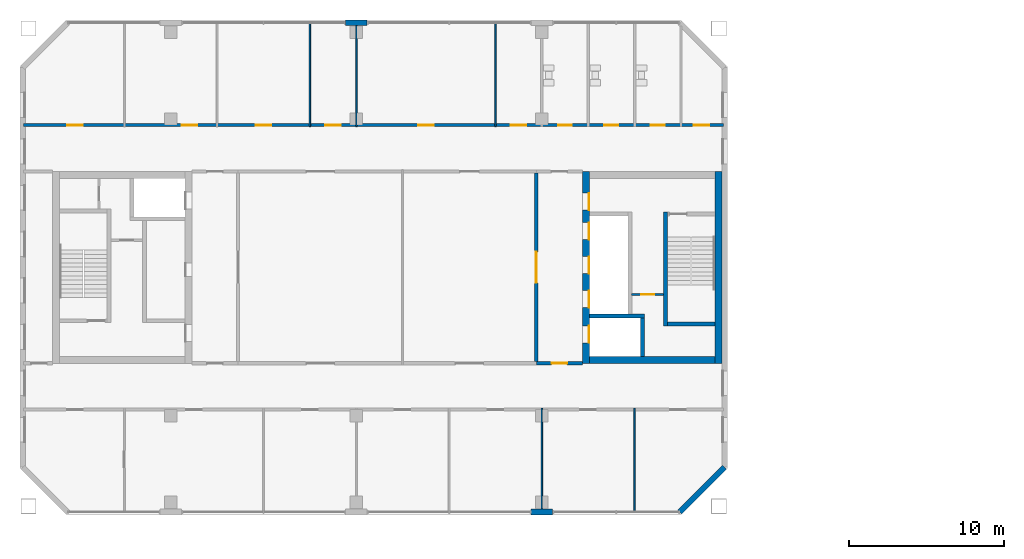
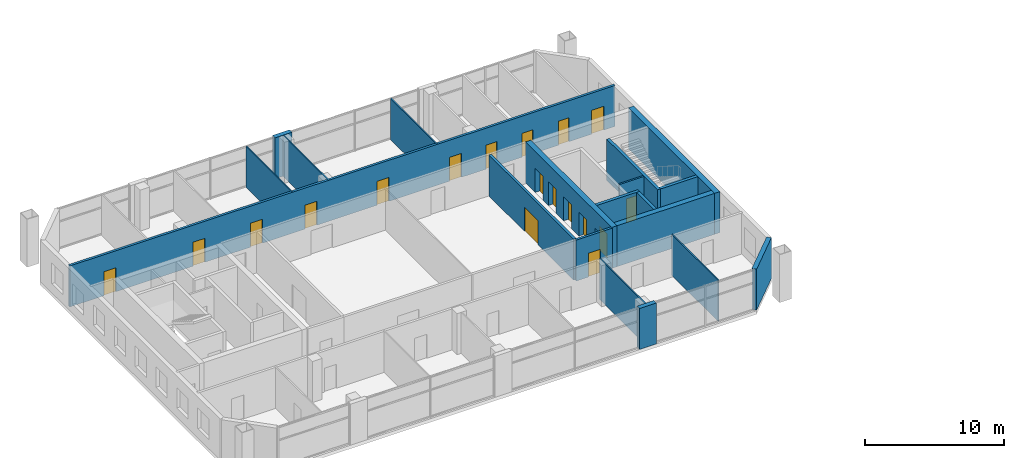
# One storey, part 12 of 19: 19 walls, 18 doors, 18 openings.
"""IFC4 building model written with IfcOpenShell, lengths in metres."""

from ifc_helpers import new_model, si_unit, direction, frame, frame_2d, origin, place, context, subcontext, project, spatial, rectangle, extrude, material, layer, layer_set, type_object, element, fill, save


model = new_model("IFC4")

# Units and contexts
model_context = context("Model", 3, precision=1e-05, world=origin(), true_north=direction((0.0, 1.0)))
body_context = subcontext(model_context, "Body", "Model", "MODEL_VIEW")
ifc_project = project(units=[si_unit("LENGTHUNIT", "METRE"), si_unit("AREAUNIT", "SQUARE_METRE"), si_unit("VOLUMEUNIT", "CUBIC_METRE"), si_unit("PLANEANGLEUNIT", "RADIAN"), si_unit("MASSUNIT", "GRAM", prefix="KILO")], contexts=[model_context])

# Site, building, storey
site_placement = place(None, origin())
site = spatial("IfcSite", under=ifc_project, at=site_placement, CompositionType="ELEMENT")
building_placement = place(site_placement, origin())
building = spatial("IfcBuilding", under=site, at=building_placement, Name="Tuart Gate Housing", CompositionType="ELEMENT")
storey_placement = place(building_placement, frame((0.0, 0.0, 171.60009765625)))
storey = spatial("IfcBuildingStorey", under=building, at=storey_placement, Name="L48", CompositionType="ELEMENT", Elevation=171.60009765625)

# Walls
ifc_material_1 = material(Name="Brick", Category="masonry")
ifc_layer_1 = layer(ifc_material_1, 0.360107421875)
ifc_layer_set_1 = layer_set([ifc_layer_1], Name="Brick pier and spandrel wall 360")
wall_type_1 = type_object("IfcWallType", Name="Brick pier and spandrel wall 360", PredefinedType="STANDARD", material=ifc_layer_set_1)
wall_1_placement = place(storey_placement, frame((63.300048828125, 54.179931640625, 0.0), z_axis=(0.0, 0.0, 1.0), x_axis=(1.0, 0.0, 0.0)))
element("IfcWall", 1, at=wall_1_placement, inside=storey, type_object=wall_type_1, Name="External wall A-S L48", PredefinedType="STANDARD", context=body_context, shape_type="SweptSolid", body=[
    extrude(rectangle(XDim=1.39990234375, YDim=0.360107421875, at=frame_2d((0.699951171875, 0.0))), origin(), (0.0, 0.0, 1.0), 3.599853515625),
])
wall_2_placement = place(storey_placement, frame((72.92529296875, 54.179931640625, 0.0), z_axis=(0.0, 0.0, 1.0), x_axis=(0.707106781187, 0.707106781187, 0.0)))
element("IfcWall", 2, at=wall_2_placement, inside=storey, type_object=wall_type_1, Name="External wall A-SE L48", PredefinedType="STANDARD", context=body_context, shape_type="SweptSolid", body=[
    extrude(rectangle(XDim=4.09375, YDim=0.360107421875, at=frame_2d((2.046875, 0.0))), origin(), (0.0, 0.0, 1.0), 3.599853515625),
])
wall_3_placement = place(storey_placement, frame((52.699951171875, 85.820068359375, 0.0), z_axis=(0.0, 0.0, 1.0), x_axis=(-1.0, 0.0, 0.0)))
element("IfcWall", 3, at=wall_3_placement, inside=storey, type_object=wall_type_1, Name="External wall A-N L48", PredefinedType="STANDARD", context=body_context, shape_type="SweptSolid", body=[
    extrude(rectangle(XDim=1.39990234375, YDim=0.360107421875, at=frame_2d((0.699951171875, 0.0))), origin(), (0.0, 0.0, 1.0), 3.599853515625),
])

# Wall, opening, door
ifc_material_2 = material(Name="Plasterboard partition")
ifc_layer_2 = layer(ifc_material_2, 0.14990234375)
ifc_layer_set_2 = layer_set([ifc_layer_2], Name="Core partition 150")
wall_type_2 = type_object("IfcWallType", Name="Core partition 150", PredefinedType="PARTITIONING", material=ifc_layer_set_2)
wall_4_placement = place(storey_placement, frame((69.81494140625, 68.25, 0.0), z_axis=(0.0, 0.0, 1.0), x_axis=(1.0, 0.0, 0.0)))
wall_4 = element("IfcWall", 4, at=wall_4_placement, inside=storey, type_object=wall_type_2, Name="Core partition AG.3", PredefinedType="PARTITIONING", context=body_context, shape_type="SweptSolid", body=[
    extrude(rectangle(XDim=2.050048828125, YDim=0.14990234375, at=frame_2d((1.02490234375, 0.0))), origin(), (0.0, 0.0, 1.0), 3.599853515625),
])
opening_1_placement = place(wall_4_placement, frame((0.60009765625, 0.0, 0.0)))
opening_1 = element("IfcOpeningElement", 5, at=opening_1_placement, cuts=wall_4, Name="Opening D229", PredefinedType="OPENING", context=body_context, shape_type="SweptSolid", body=[
    extrude(rectangle(XDim=0.85009765625, YDim=2.10009765625, at=frame_2d((0.425048828125, 1.050048828125))), frame((0.0, 0.0849609375, 0.0), z_axis=(0.0, -1.0, 0.0), x_axis=(1.0, 0.0, 0.0)), (0.0, 0.0, 1.0), 0.169921875),
])
ifc_material_3 = material(Name="Steel fire door", Category="steel")
door_type_1 = type_object("IfcDoorType", Name="Riser door 850 x 2100 RH", OperationType="SINGLE_SWING_RIGHT", PredefinedType="DOOR", material=ifc_material_3)
door_1_placement = place(opening_1_placement, frame((0.85009765625, 0.0, 0.0), z_axis=(0.0, 0.0, 1.0), x_axis=(-1.0, 0.0, 0.0)))
door_1 = element("IfcDoor", 6, at=door_1_placement, inside=storey, type_object=door_type_1, Name="Service room door AG.E1", OperationType="SINGLE_SWING_RIGHT", OverallHeight=2.10009765625, OverallWidth=0.85009765625, PredefinedType="DOOR", context=body_context, shape_type="SweptSolid", body=[
    extrude(rectangle(XDim=0.85009765625, YDim=2.10009765625, at=frame_2d((0.425048828125, 1.050048828125))), frame((0.0, 0.025146484375, 0.0), z_axis=(0.0, -1.0, 0.0), x_axis=(1.0, 0.0, 0.0)), (0.0, 0.0, 1.0), 0.050048828125),
])
fill(opening_1, door_1)

# Walls
ifc_material_4 = material(Name="Concrete C40", Category="concrete")
ifc_layer_3 = layer(ifc_material_4, 0.25)
ifc_layer_set_3 = layer_set([ifc_layer_3], Name="Core wall 250 C40")
wall_type_3 = type_object("IfcWallType", Name="Core wall 250 C40", PredefinedType="SHEAR", material=ifc_layer_set_3)
wall_5_placement = place(storey_placement, frame((72.114990234375, 66.35009765625, 0.0), z_axis=(0.0, 0.0, 1.0), x_axis=(1.0, 0.0, 0.0)))
element("IfcWall", 7, at=wall_5_placement, inside=storey, type_object=wall_type_3, Name="Core wall AG.1", PredefinedType="SHEAR", context=body_context, shape_type="SweptSolid", body=[
    extrude(rectangle(XDim=3.074951171875, YDim=0.25, at=frame_2d((1.53759765625, 0.0))), origin(), (0.0, 0.0, 1.0), 3.599853515625),
])
wall_6_placement = place(storey_placement, frame((67.090087890625, 66.85009765625, 0.0), z_axis=(0.0, 0.0, 1.0), x_axis=(1.0, 0.0, 0.0)))
element("IfcWall", 8, at=wall_6_placement, inside=storey, type_object=wall_type_3, Name="Core wall AG.2", PredefinedType="SHEAR", context=body_context, shape_type="SweptSolid", body=[
    extrude(rectangle(XDim=3.544921875, YDim=0.25, at=frame_2d((1.7724609375, 0.0))), origin(), (0.0, 0.0, 1.0), 3.599853515625),
])
wall_7_placement = place(storey_placement, frame((70.510009765625, 64.25, 0.0), z_axis=(0.0, 0.0, 1.0), x_axis=(0.0, 1.0, 0.0)))
element("IfcWall", 9, at=wall_7_placement, inside=storey, type_object=wall_type_3, Name="Core wall AG.7", PredefinedType="SHEAR", context=body_context, shape_type="SweptSolid", body=[
    extrude(rectangle(XDim=2.47509765625, YDim=0.25, at=frame_2d((1.237548828125, 0.0))), origin(), (0.0, 0.0, 1.0), 3.599853515625),
])
wall_8_placement = place(storey_placement, frame((71.989990234375, 66.22509765625, 0.0), z_axis=(0.0, 0.0, 1.0), x_axis=(0.0, 1.0, 0.0)))
element("IfcWall", 10, at=wall_8_placement, inside=storey, type_object=wall_type_3, Name="Core wall AG.8", PredefinedType="SHEAR", context=body_context, shape_type="SweptSolid", body=[
    extrude(rectangle(XDim=7.349853515625, YDim=0.25, at=frame_2d((3.6748046875, 0.0))), origin(), (0.0, 0.0, 1.0), 3.599853515625),
])

# Wall, openings, doors
ifc_material_5 = material(Name="Concrete C40", Category="concrete")
ifc_layer_4 = layer(ifc_material_5, 0.449951171875)
ifc_layer_set_4 = layer_set([ifc_layer_4], Name="Core wall 450 C40")
wall_type_4 = type_object("IfcWallType", Name="Core wall 450 C40", PredefinedType="SHEAR", material=ifc_layer_set_4)
wall_9_placement = place(storey_placement, frame((66.864990234375, 63.800048828125, 0.0), z_axis=(0.0, 0.0, 1.0), x_axis=(0.0, 1.0, 0.0)))
wall_9 = element("IfcWall", 11, at=wall_9_placement, inside=storey, type_object=wall_type_4, Name="Core wall AG front", PredefinedType="SHEAR", context=body_context, shape_type="SweptSolid", body=[
    extrude(rectangle(XDim=12.39990234375, YDim=0.449951171875, at=frame_2d((6.199951171875, 0.0))), origin(), (0.0, 0.0, 1.0), 3.599853515625),
])
opening_2_placement = place(wall_9_placement, frame((1.324951171875, 0.0, 0.0)))
opening_2 = element("IfcOpeningElement", 12, at=opening_2_placement, cuts=wall_9, Name="Opening LD-FA1", PredefinedType="OPENING", context=body_context, shape_type="SweptSolid", body=[
    extrude(rectangle(XDim=1.10009765625, YDim=2.10009765625, at=frame_2d((0.550048828125, 1.050048828125))), frame((0.0, 0.23486328125, 0.0), z_axis=(0.0, -1.0, 0.0), x_axis=(1.0, 0.0, 0.0)), (0.0, 0.0, 1.0), 0.469970703125),
])
opening_3_placement = place(wall_9_placement, frame((3.60009765625, 0.0, 0.0)))
opening_3 = element("IfcOpeningElement", 13, at=opening_3_placement, cuts=wall_9, Name="Opening LD-LA1", PredefinedType="OPENING", context=body_context, shape_type="SweptSolid", body=[
    extrude(rectangle(XDim=1.10009765625, YDim=2.10009765625, at=frame_2d((0.550048828125, 1.050048828125))), frame((0.0, 0.23486328125, 0.0), z_axis=(0.0, -1.0, 0.0), x_axis=(1.0, 0.0, 0.0)), (0.0, 0.0, 1.0), 0.469970703125),
])
opening_4_placement = place(wall_9_placement, frame((5.800048828125, 0.0, 0.0)))
opening_4 = element("IfcOpeningElement", 14, at=opening_4_placement, cuts=wall_9, Name="Opening LD-LA2", PredefinedType="OPENING", context=body_context, shape_type="SweptSolid", body=[
    extrude(rectangle(XDim=1.10009765625, YDim=2.10009765625, at=frame_2d((0.550048828125, 1.050048828125))), frame((0.0, 0.23486328125, 0.0), z_axis=(0.0, -1.0, 0.0), x_axis=(1.0, 0.0, 0.0)), (0.0, 0.0, 1.0), 0.469970703125),
])
opening_5_placement = place(wall_9_placement, frame((8.0, 0.0, 0.0)))
opening_5 = element("IfcOpeningElement", 15, at=opening_5_placement, cuts=wall_9, Name="Opening LD-LA3", PredefinedType="OPENING", context=body_context, shape_type="SweptSolid", body=[
    extrude(rectangle(XDim=1.10009765625, YDim=2.10009765625, at=frame_2d((0.550048828125, 1.050048828125))), frame((0.0, 0.23486328125, 0.0), z_axis=(0.0, -1.0, 0.0), x_axis=(1.0, 0.0, 0.0)), (0.0, 0.0, 1.0), 0.469970703125),
])
opening_6_placement = place(wall_9_placement, frame((9.89990234375, 0.0, 0.0)))
opening_6 = element("IfcOpeningElement", 16, at=opening_6_placement, cuts=wall_9, Name="Opening D228", PredefinedType="OPENING", context=body_context, shape_type="SweptSolid", body=[
    extrude(rectangle(XDim=1.10009765625, YDim=2.10009765625, at=frame_2d((0.550048828125, 1.050048828125))), frame((0.0, 0.23486328125, 0.0), z_axis=(0.0, -1.0, 0.0), x_axis=(1.0, 0.0, 0.0)), (0.0, 0.0, 1.0), 0.469970703125),
])
ifc_material_6 = material(Name="Stainless steel", Category="steel")
door_type_2 = type_object("IfcDoorType", Name="Landing door 1100 x 2100", OperationType="DOUBLE_DOOR_SLIDING", PredefinedType="DOOR", material=ifc_material_6)
door_2_placement = place(opening_2_placement, origin())
door_2 = element("IfcDoor", 17, at=door_2_placement, inside=storey, type_object=door_type_2, Name="Lift landing door FA1", OperationType="DOUBLE_DOOR_SLIDING", OverallHeight=2.10009765625, OverallWidth=1.10009765625, PredefinedType="DOOR", context=body_context, shape_type="SweptSolid", body=[
    extrude(rectangle(XDim=1.10009765625, YDim=2.10009765625, at=frame_2d((0.550048828125, 1.050048828125))), frame((0.0, -0.16015625, 0.0), z_axis=(0.0, -1.0, 0.0), x_axis=(1.0, 0.0, 0.0)), (0.0, 0.0, 1.0), 0.050048828125),
])
fill(opening_2, door_2)
door_3_placement = place(opening_3_placement, origin())
door_3 = element("IfcDoor", 18, at=door_3_placement, inside=storey, type_object=door_type_2, Name="Lift landing door LA1", OperationType="DOUBLE_DOOR_SLIDING", OverallHeight=2.10009765625, OverallWidth=1.10009765625, PredefinedType="DOOR", context=body_context, shape_type="SweptSolid", body=[
    extrude(rectangle(XDim=1.10009765625, YDim=2.10009765625, at=frame_2d((0.550048828125, 1.050048828125))), frame((0.0, -0.16015625, 0.0), z_axis=(0.0, -1.0, 0.0), x_axis=(1.0, 0.0, 0.0)), (0.0, 0.0, 1.0), 0.050048828125),
])
fill(opening_3, door_3)
door_4_placement = place(opening_4_placement, origin())
door_4 = element("IfcDoor", 19, at=door_4_placement, inside=storey, type_object=door_type_2, Name="Lift landing door LA2", OperationType="DOUBLE_DOOR_SLIDING", OverallHeight=2.10009765625, OverallWidth=1.10009765625, PredefinedType="DOOR", context=body_context, shape_type="SweptSolid", body=[
    extrude(rectangle(XDim=1.10009765625, YDim=2.10009765625, at=frame_2d((0.550048828125, 1.050048828125))), frame((0.0, -0.16015625, 0.0), z_axis=(0.0, -1.0, 0.0), x_axis=(1.0, 0.0, 0.0)), (0.0, 0.0, 1.0), 0.050048828125),
])
fill(opening_4, door_4)
door_5_placement = place(opening_5_placement, origin())
door_5 = element("IfcDoor", 20, at=door_5_placement, inside=storey, type_object=door_type_2, Name="Lift landing door LA3", OperationType="DOUBLE_DOOR_SLIDING", OverallHeight=2.10009765625, OverallWidth=1.10009765625, PredefinedType="DOOR", context=body_context, shape_type="SweptSolid", body=[
    extrude(rectangle(XDim=1.10009765625, YDim=2.10009765625, at=frame_2d((0.550048828125, 1.050048828125))), frame((0.0, -0.16015625, 0.0), z_axis=(0.0, -1.0, 0.0), x_axis=(1.0, 0.0, 0.0)), (0.0, 0.0, 1.0), 0.050048828125),
])
fill(opening_5, door_5)
ifc_material_7 = material(Name="Steel fire door", Category="steel")
door_type_3 = type_object("IfcDoorType", Name="Lobby door 1100 x 2100 RH", OperationType="SINGLE_SWING_RIGHT", PredefinedType="DOOR", material=ifc_material_7)
door_6_placement = place(opening_6_placement, frame((1.10009765625, 0.0, 0.0), z_axis=(0.0, 0.0, 1.0), x_axis=(-1.0, 0.0, 0.0)))
door_6 = element("IfcDoor", 21, at=door_6_placement, inside=storey, type_object=door_type_3, Name="Lobby entry door AG.EN", OperationType="SINGLE_SWING_RIGHT", OverallHeight=2.10009765625, OverallWidth=1.10009765625, PredefinedType="DOOR", context=body_context, shape_type="SweptSolid", body=[
    extrude(rectangle(XDim=1.10009765625, YDim=2.10009765625, at=frame_2d((0.550048828125, 1.050048828125))), frame((0.0, 0.210205078125, 0.0), z_axis=(0.0, -1.0, 0.0), x_axis=(1.0, 0.0, 0.0)), (0.0, 0.0, 1.0), 0.050048828125),
])
fill(opening_6, door_6)

# Walls
wall_10_placement = place(storey_placement, frame((75.4150390625, 63.800048828125, 0.0), z_axis=(0.0, 0.0, 1.0), x_axis=(0.0, 1.0, 0.0)))
element("IfcWall", 22, at=wall_10_placement, inside=storey, type_object=wall_type_4, Name="Core wall AG back", PredefinedType="SHEAR", context=body_context, shape_type="SweptSolid", body=[
    extrude(rectangle(XDim=12.39990234375, YDim=0.449951171875, at=frame_2d((6.199951171875, 0.0))), origin(), (0.0, 0.0, 1.0), 3.599853515625),
])
wall_11_placement = place(storey_placement, frame((67.090087890625, 64.02490234375, 0.0), z_axis=(0.0, 0.0, 1.0), x_axis=(1.0, 0.0, 0.0)))
element("IfcWall", 23, at=wall_11_placement, inside=storey, type_object=wall_type_4, Name="Core wall AG south", PredefinedType="SHEAR", context=body_context, shape_type="SweptSolid", body=[
    extrude(rectangle(XDim=8.099853515625, YDim=0.449951171875, at=frame_2d((4.0498046875, 0.0))), origin(), (0.0, 0.0, 1.0), 3.599853515625),
])

# Wall, openings, doors
ifc_material_8 = material(Name="Concrete masonry 15 MPa", Category="masonry")
ifc_layer_5 = layer(ifc_material_8, 0.199951171875)
ifc_layer_set_5 = layer_set([ifc_layer_5], Name="Corridor wall masonry 200")
wall_type_5 = type_object("IfcWallType", Name="Corridor wall masonry 200", PredefinedType="PARTITIONING", material=ifc_layer_set_5)
wall_12_placement = place(storey_placement, frame((30.489990234375, 79.199951171875, 0.0), z_axis=(0.0, 0.0, 1.0), x_axis=(1.0, 0.0, 0.0)))
wall_12 = element("IfcWall", 24, at=wall_12_placement, inside=storey, type_object=wall_type_5, Name="Corridor wall masonry 200", PredefinedType="PARTITIONING", context=body_context, shape_type="SweptSolid", body=[
    extrude(rectangle(XDim=45.27001953125, YDim=0.199951171875, at=frame_2d((22.635009765625, 0.0))), origin(), (0.0, 0.0, 1.0), 3.599853515625),
])
opening_7_placement = place(wall_12_placement, frame((2.81494140625, 0.0, 0.0)))
opening_7 = element("IfcOpeningElement", 25, at=opening_7_placement, cuts=wall_12, Name="Opening D207", PredefinedType="OPENING", context=body_context, shape_type="SweptSolid", body=[
    extrude(rectangle(XDim=1.0, YDim=2.10009765625, at=frame_2d((0.5, 1.050048828125))), frame((0.0, 0.10986328125, 0.0), z_axis=(0.0, -1.0, 0.0), x_axis=(1.0, 0.0, 0.0)), (0.0, 0.0, 1.0), 0.219970703125),
])
opening_8_placement = place(wall_12_placement, frame((10.2099609375, 0.0, 0.0)))
opening_8 = element("IfcOpeningElement", 26, at=opening_8_placement, cuts=wall_12, Name="Opening D208", PredefinedType="OPENING", context=body_context, shape_type="SweptSolid", body=[
    extrude(rectangle(XDim=1.0, YDim=2.10009765625, at=frame_2d((0.5, 1.050048828125))), frame((0.0, 0.10986328125, 0.0), z_axis=(0.0, -1.0, 0.0), x_axis=(1.0, 0.0, 0.0)), (0.0, 0.0, 1.0), 0.219970703125),
])
opening_9_placement = place(wall_12_placement, frame((15.010009765625, 0.0, 0.0)))
opening_9 = element("IfcOpeningElement", 27, at=opening_9_placement, cuts=wall_12, Name="Opening D209", PredefinedType="OPENING", context=body_context, shape_type="SweptSolid", body=[
    extrude(rectangle(XDim=1.0, YDim=2.10009765625, at=frame_2d((0.5, 1.050048828125))), frame((0.0, 0.10986328125, 0.0), z_axis=(0.0, -1.0, 0.0), x_axis=(1.0, 0.0, 0.0)), (0.0, 0.0, 1.0), 0.219970703125),
])
opening_10_placement = place(wall_12_placement, frame((19.510009765625, 0.0, 0.0)))
opening_10 = element("IfcOpeningElement", 28, at=opening_10_placement, cuts=wall_12, Name="Opening D210", PredefinedType="OPENING", context=body_context, shape_type="SweptSolid", body=[
    extrude(rectangle(XDim=1.0, YDim=2.10009765625, at=frame_2d((0.5, 1.050048828125))), frame((0.0, 0.10986328125, 0.0), z_axis=(0.0, -1.0, 0.0), x_axis=(1.0, 0.0, 0.0)), (0.0, 0.0, 1.0), 0.219970703125),
])
opening_11_placement = place(wall_12_placement, frame((25.510009765625, 0.0, 0.0)))
opening_11 = element("IfcOpeningElement", 29, at=opening_11_placement, cuts=wall_12, Name="Opening D211", PredefinedType="OPENING", context=body_context, shape_type="SweptSolid", body=[
    extrude(rectangle(XDim=1.0, YDim=2.10009765625, at=frame_2d((0.5, 1.050048828125))), frame((0.0, 0.10986328125, 0.0), z_axis=(0.0, -1.0, 0.0), x_axis=(1.0, 0.0, 0.0)), (0.0, 0.0, 1.0), 0.219970703125),
])
opening_12_placement = place(wall_12_placement, frame((31.510009765625, 0.0, 0.0)))
opening_12 = element("IfcOpeningElement", 30, at=opening_12_placement, cuts=wall_12, Name="Opening D212", PredefinedType="OPENING", context=body_context, shape_type="SweptSolid", body=[
    extrude(rectangle(XDim=1.0, YDim=2.10009765625, at=frame_2d((0.5, 1.050048828125))), frame((0.0, 0.10986328125, 0.0), z_axis=(0.0, -1.0, 0.0), x_axis=(1.0, 0.0, 0.0)), (0.0, 0.0, 1.0), 0.219970703125),
])
opening_13_placement = place(wall_12_placement, frame((34.56005859375, 0.0, 0.0)))
opening_13 = element("IfcOpeningElement", 31, at=opening_13_placement, cuts=wall_12, Name="Opening D214", PredefinedType="OPENING", context=body_context, shape_type="SweptSolid", body=[
    extrude(rectangle(XDim=0.89990234375, YDim=2.10009765625, at=frame_2d((0.449951171875, 1.050048828125))), frame((0.0, 0.10986328125, 0.0), z_axis=(0.0, -1.0, 0.0), x_axis=(1.0, 0.0, 0.0)), (0.0, 0.0, 1.0), 0.219970703125),
])
opening_14_placement = place(wall_12_placement, frame((37.56005859375, 0.0, 0.0)))
opening_14 = element("IfcOpeningElement", 32, at=opening_14_placement, cuts=wall_12, Name="Opening D215", PredefinedType="OPENING", context=body_context, shape_type="SweptSolid", body=[
    extrude(rectangle(XDim=0.89990234375, YDim=2.10009765625, at=frame_2d((0.449951171875, 1.050048828125))), frame((0.0, 0.10986328125, 0.0), z_axis=(0.0, -1.0, 0.0), x_axis=(1.0, 0.0, 0.0)), (0.0, 0.0, 1.0), 0.219970703125),
])
opening_15_placement = place(wall_12_placement, frame((40.56005859375, 0.0, 0.0)))
opening_15 = element("IfcOpeningElement", 33, at=opening_15_placement, cuts=wall_12, Name="Opening D216", PredefinedType="OPENING", context=body_context, shape_type="SweptSolid", body=[
    extrude(rectangle(XDim=0.89990234375, YDim=2.10009765625, at=frame_2d((0.449951171875, 1.050048828125))), frame((0.0, 0.10986328125, 0.0), z_axis=(0.0, -1.0, 0.0), x_axis=(1.0, 0.0, 0.0)), (0.0, 0.0, 1.0), 0.219970703125),
])
opening_16_placement = place(wall_12_placement, frame((43.330078125, 0.0, 0.0)))
opening_16 = element("IfcOpeningElement", 34, at=opening_16_placement, cuts=wall_12, Name="Opening D213", PredefinedType="OPENING", context=body_context, shape_type="SweptSolid", body=[
    extrude(rectangle(XDim=1.0, YDim=2.10009765625, at=frame_2d((0.5, 1.050048828125))), frame((0.0, 0.10986328125, 0.0), z_axis=(0.0, -1.0, 0.0), x_axis=(1.0, 0.0, 0.0)), (0.0, 0.0, 1.0), 0.219970703125),
])
ifc_material_9 = material(Name="Timber door leaf in steel frame", Category="steel")
door_type_4 = type_object("IfcDoorType", Name="Fire door 1000", OperationType="SINGLE_SWING_LEFT", PredefinedType="DOOR", material=ifc_material_9)
door_7_placement = place(opening_7_placement, origin())
door_7 = element("IfcDoor", 35, at=door_7_placement, inside=storey, type_object=door_type_4, Name="Fire door 1000", OperationType="SINGLE_SWING_LEFT", OverallHeight=2.10009765625, OverallWidth=1.0, PredefinedType="DOOR", context=body_context, shape_type="SweptSolid", body=[
    extrude(rectangle(XDim=1.0, YDim=2.10009765625, at=frame_2d((0.5, 1.050048828125))), frame((0.0, 0.02490234375, 0.0), z_axis=(0.0, -1.0, 0.0), x_axis=(1.0, 0.0, 0.0)), (0.0, 0.0, 1.0), 0.050048828125),
])
fill(opening_7, door_7)
door_8_placement = place(opening_9_placement, origin())
door_8 = element("IfcDoor", 36, at=door_8_placement, inside=storey, type_object=door_type_4, Name="Fire door 1000", OperationType="SINGLE_SWING_LEFT", OverallHeight=2.10009765625, OverallWidth=1.0, PredefinedType="DOOR", context=body_context, shape_type="SweptSolid", body=[
    extrude(rectangle(XDim=1.0, YDim=2.10009765625, at=frame_2d((0.5, 1.050048828125))), frame((0.0, 0.02490234375, 0.0), z_axis=(0.0, -1.0, 0.0), x_axis=(1.0, 0.0, 0.0)), (0.0, 0.0, 1.0), 0.050048828125),
])
fill(opening_9, door_8)
door_9_placement = place(opening_10_placement, origin())
door_9 = element("IfcDoor", 37, at=door_9_placement, inside=storey, type_object=door_type_4, Name="Fire door 1000", OperationType="SINGLE_SWING_LEFT", OverallHeight=2.10009765625, OverallWidth=1.0, PredefinedType="DOOR", context=body_context, shape_type="SweptSolid", body=[
    extrude(rectangle(XDim=1.0, YDim=2.10009765625, at=frame_2d((0.5, 1.050048828125))), frame((0.0, 0.02490234375, 0.0), z_axis=(0.0, -1.0, 0.0), x_axis=(1.0, 0.0, 0.0)), (0.0, 0.0, 1.0), 0.050048828125),
])
fill(opening_10, door_9)
door_10_placement = place(opening_11_placement, origin())
door_10 = element("IfcDoor", 38, at=door_10_placement, inside=storey, type_object=door_type_4, Name="Fire door 1000", OperationType="SINGLE_SWING_LEFT", OverallHeight=2.10009765625, OverallWidth=1.0, PredefinedType="DOOR", context=body_context, shape_type="SweptSolid", body=[
    extrude(rectangle(XDim=1.0, YDim=2.10009765625, at=frame_2d((0.5, 1.050048828125))), frame((0.0, 0.02490234375, 0.0), z_axis=(0.0, -1.0, 0.0), x_axis=(1.0, 0.0, 0.0)), (0.0, 0.0, 1.0), 0.050048828125),
])
fill(opening_11, door_10)
door_11_placement = place(opening_12_placement, origin())
door_11 = element("IfcDoor", 39, at=door_11_placement, inside=storey, type_object=door_type_4, Name="Fire door 1000", OperationType="SINGLE_SWING_LEFT", OverallHeight=2.10009765625, OverallWidth=1.0, PredefinedType="DOOR", context=body_context, shape_type="SweptSolid", body=[
    extrude(rectangle(XDim=1.0, YDim=2.10009765625, at=frame_2d((0.5, 1.050048828125))), frame((0.0, 0.02490234375, 0.0), z_axis=(0.0, -1.0, 0.0), x_axis=(1.0, 0.0, 0.0)), (0.0, 0.0, 1.0), 0.050048828125),
])
fill(opening_12, door_11)
door_12_placement = place(opening_16_placement, origin())
door_12 = element("IfcDoor", 40, at=door_12_placement, inside=storey, type_object=door_type_4, Name="Fire door 1000", OperationType="SINGLE_SWING_LEFT", OverallHeight=2.10009765625, OverallWidth=1.0, PredefinedType="DOOR", context=body_context, shape_type="SweptSolid", body=[
    extrude(rectangle(XDim=1.0, YDim=2.10009765625, at=frame_2d((0.5, 1.050048828125))), frame((0.0, 0.02490234375, 0.0), z_axis=(0.0, -1.0, 0.0), x_axis=(1.0, 0.0, 0.0)), (0.0, 0.0, 1.0), 0.050048828125),
])
fill(opening_16, door_12)
ifc_material_10 = material(Name="Timber door leaf in steel frame", Category="steel")
door_type_5 = type_object("IfcDoorType", Name="Fire door 1000 RH", OperationType="SINGLE_SWING_RIGHT", PredefinedType="DOOR", material=ifc_material_10)
door_13_placement = place(opening_8_placement, origin())
door_13 = element("IfcDoor", 41, at=door_13_placement, inside=storey, type_object=door_type_5, Name="Fire door 1000", OperationType="SINGLE_SWING_RIGHT", OverallHeight=2.10009765625, OverallWidth=1.0, PredefinedType="DOOR", context=body_context, shape_type="SweptSolid", body=[
    extrude(rectangle(XDim=1.0, YDim=2.10009765625, at=frame_2d((0.5, 1.050048828125))), frame((0.0, 0.02490234375, 0.0), z_axis=(0.0, -1.0, 0.0), x_axis=(1.0, 0.0, 0.0)), (0.0, 0.0, 1.0), 0.050048828125),
])
fill(opening_8, door_13)
ifc_material_11 = material(Name="Timber door leaf in steel frame", Category="steel")
door_type_6 = type_object("IfcDoorType", Name="Fire door 900", OperationType="SINGLE_SWING_LEFT", PredefinedType="DOOR", material=ifc_material_11)
door_14_placement = place(opening_13_placement, origin())
door_14 = element("IfcDoor", 42, at=door_14_placement, inside=storey, type_object=door_type_6, Name="Fire door 900", OperationType="SINGLE_SWING_LEFT", OverallHeight=2.10009765625, OverallWidth=0.89990234375, PredefinedType="DOOR", context=body_context, shape_type="SweptSolid", body=[
    extrude(rectangle(XDim=0.89990234375, YDim=2.10009765625, at=frame_2d((0.449951171875, 1.050048828125))), frame((0.0, 0.02490234375, 0.0), z_axis=(0.0, -1.0, 0.0), x_axis=(1.0, 0.0, 0.0)), (0.0, 0.0, 1.0), 0.050048828125),
])
fill(opening_13, door_14)
door_15_placement = place(opening_14_placement, origin())
door_15 = element("IfcDoor", 43, at=door_15_placement, inside=storey, type_object=door_type_6, Name="Fire door 900", OperationType="SINGLE_SWING_LEFT", OverallHeight=2.10009765625, OverallWidth=0.89990234375, PredefinedType="DOOR", context=body_context, shape_type="SweptSolid", body=[
    extrude(rectangle(XDim=0.89990234375, YDim=2.10009765625, at=frame_2d((0.449951171875, 1.050048828125))), frame((0.0, 0.02490234375, 0.0), z_axis=(0.0, -1.0, 0.0), x_axis=(1.0, 0.0, 0.0)), (0.0, 0.0, 1.0), 0.050048828125),
])
fill(opening_14, door_15)
door_16_placement = place(opening_15_placement, origin())
door_16 = element("IfcDoor", 44, at=door_16_placement, inside=storey, type_object=door_type_6, Name="Fire door 900", OperationType="SINGLE_SWING_LEFT", OverallHeight=2.10009765625, OverallWidth=0.89990234375, PredefinedType="DOOR", context=body_context, shape_type="SweptSolid", body=[
    extrude(rectangle(XDim=0.89990234375, YDim=2.10009765625, at=frame_2d((0.449951171875, 1.050048828125))), frame((0.0, 0.02490234375, 0.0), z_axis=(0.0, -1.0, 0.0), x_axis=(1.0, 0.0, 0.0)), (0.0, 0.0, 1.0), 0.050048828125),
])
fill(opening_15, door_16)

# Wall, opening, door
ifc_material_12 = material(Name="Concrete masonry 15 MPa", Category="masonry")
ifc_layer_6 = layer(ifc_material_12, 0.199951171875)
ifc_layer_set_6 = layer_set([ifc_layer_6], Name="Enclosure wall masonry 200")
wall_type_6 = type_object("IfcWallType", Name="Enclosure wall masonry 200", PredefinedType="PARTITIONING", material=ifc_layer_set_6)
wall_13_placement = place(storey_placement, frame((63.639892578125, 63.800048828125, 0.0), z_axis=(0.0, 0.0, 1.0), x_axis=(1.0, 0.0, 0.0)))
wall_13 = element("IfcWall", 45, at=wall_13_placement, inside=storey, type_object=wall_type_6, Name="Enclosure wall masonry 200", PredefinedType="PARTITIONING", context=body_context, shape_type="SweptSolid", body=[
    extrude(rectangle(XDim=3.0, YDim=0.199951171875, at=frame_2d((1.5, 0.0))), origin(), (0.0, 0.0, 1.0), 3.599853515625),
])
opening_17_placement = place(wall_13_placement, frame((1.0, 0.0, 0.0)))
opening_17 = element("IfcOpeningElement", 46, at=opening_17_placement, cuts=wall_13, Name="Opening D235", PredefinedType="OPENING", context=body_context, shape_type="SweptSolid", body=[
    extrude(rectangle(XDim=1.0, YDim=2.10009765625, at=frame_2d((0.5, 1.050048828125))), frame((0.0, 0.10986328125, 0.0), z_axis=(0.0, -1.0, 0.0), x_axis=(1.0, 0.0, 0.0)), (0.0, 0.0, 1.0), 0.219970703125),
])
ifc_material_13 = material(Name="Timber door leaf in steel frame", Category="steel")
door_type_7 = type_object("IfcDoorType", Name="Lobby door 1000", OperationType="SINGLE_SWING_LEFT", PredefinedType="DOOR", material=ifc_material_13)
door_17_placement = place(opening_17_placement, origin())
door_17 = element("IfcDoor", 47, at=door_17_placement, inside=storey, type_object=door_type_7, Name="Lobby door 1000", OperationType="SINGLE_SWING_LEFT", OverallHeight=2.10009765625, OverallWidth=1.0, PredefinedType="DOOR", context=body_context, shape_type="SweptSolid", body=[
    extrude(rectangle(XDim=1.0, YDim=2.10009765625, at=frame_2d((0.5, 1.050048828125))), frame((0.0, 0.02490234375, 0.0), z_axis=(0.0, -1.0, 0.0), x_axis=(1.0, 0.0, 0.0)), (0.0, 0.0, 1.0), 0.050048828125),
])
fill(opening_17, door_17)

ifc_material_14 = material(Name="Plasterboard partition")
ifc_layer_7 = layer(ifc_material_14, 0.199951171875)
ifc_layer_set_7 = layer_set([ifc_layer_7], Name="Lobby wall 200")
wall_type_7 = type_object("IfcWallType", Name="Lobby wall 200", PredefinedType="PARTITIONING", material=ifc_layer_set_7)
wall_14_placement = place(storey_placement, frame((63.639892578125, 63.89990234375, 0.0), z_axis=(0.0, 0.0, 1.0), x_axis=(0.0, 1.0, 0.0)))
wall_14 = element("IfcWall", 48, at=wall_14_placement, inside=storey, type_object=wall_type_7, Name="Lift lobby wall AG", PredefinedType="PARTITIONING", context=body_context, shape_type="SweptSolid", body=[
    extrude(rectangle(XDim=12.2001953125, YDim=0.199951171875, at=frame_2d((6.10009765625, 0.0))), origin(), (0.0, 0.0, 1.0), 3.599853515625),
])
opening_18_placement = place(wall_14_placement, frame((5.10009765625, 0.0, 0.0)))
opening_18 = element("IfcOpeningElement", 49, at=opening_18_placement, cuts=wall_14, Name="Opening D227", PredefinedType="OPENING", context=body_context, shape_type="SweptSolid", body=[
    extrude(rectangle(XDim=2.0, YDim=2.10009765625, at=frame_2d((1.0, 1.050048828125))), frame((0.0, 0.10986328125, 0.0), z_axis=(0.0, -1.0, 0.0), x_axis=(1.0, 0.0, 0.0)), (0.0, 0.0, 1.0), 0.219970703125),
])
ifc_material_15 = material(Name="Steel fire door", Category="steel")
door_type_8 = type_object("IfcDoorType", Name="Smoke door 2000 x 2100", OperationType="DOUBLE_DOOR_SINGLE_SWING", PredefinedType="DOOR", material=ifc_material_15)
door_18_placement = place(opening_18_placement, origin())
door_18 = element("IfcDoor", 50, at=door_18_placement, inside=storey, type_object=door_type_8, Name="Lift lobby smoke door AG", OperationType="DOUBLE_DOOR_SINGLE_SWING", OverallHeight=2.10009765625, OverallWidth=2.0, PredefinedType="DOOR", context=body_context, shape_type="SweptSolid", body=[
    extrude(rectangle(XDim=2.0, YDim=2.10009765625, at=frame_2d((1.0, 1.050048828125))), frame((0.0, 0.02490234375, 0.0), z_axis=(0.0, -1.0, 0.0), x_axis=(1.0, 0.0, 0.0)), (0.0, 0.0, 1.0), 0.050048828125),
])
fill(opening_18, door_18)

# Walls
ifc_material_16 = material(Name="Gypsum board on steel studs", Category="steel")
ifc_layer_8 = layer(ifc_material_16, 0.10009765625)
ifc_layer_set_8 = layer_set([ifc_layer_8], Name="Partition 100")
wall_type_8 = type_object("IfcWallType", Name="Partition 100", PredefinedType="PARTITIONING", material=ifc_layer_set_8)
for number, where, z_axis, x_axis, name in (
    (51, (49.0, 79.10009765625, 0.0), (0.0, 0.0, 1.0), (0.0, 1.0, 0.0), "Partition 100"),
    (52, (52.0, 79.10009765625, 0.0), (0.0, 0.0, 1.0), (0.0, 1.0, 0.0), "Partition 100"),
    (53, (61.0, 79.10009765625, 0.0), (0.0, 0.0, 1.0), (0.0, 1.0, 0.0), "Partition 100"),
    (54, (64.0, 54.239990234375, 0.0), (0.0, 0.0, 1.0), (0.0, 1.0, 0.0), "Partition 100"),
    (55, (70.0, 54.239990234375, 0.0), (0.0, 0.0, 1.0), (0.0, 1.0, 0.0), "Partition 100"),
):
    element("IfcWall", number, at=place(storey_placement, frame(where, z_axis=z_axis, x_axis=x_axis)), inside=storey, type_object=wall_type_8, Name=name, PredefinedType="PARTITIONING", context=body_context, shape_type="SweptSolid", body=[
        extrude(rectangle(XDim=6.659912109375, YDim=0.10009765625, at=frame_2d((3.330078125, 0.0))), origin(), (0.0, 0.0, 1.0), 3.599853515625),
    ])

save(model, "model.ifc")
